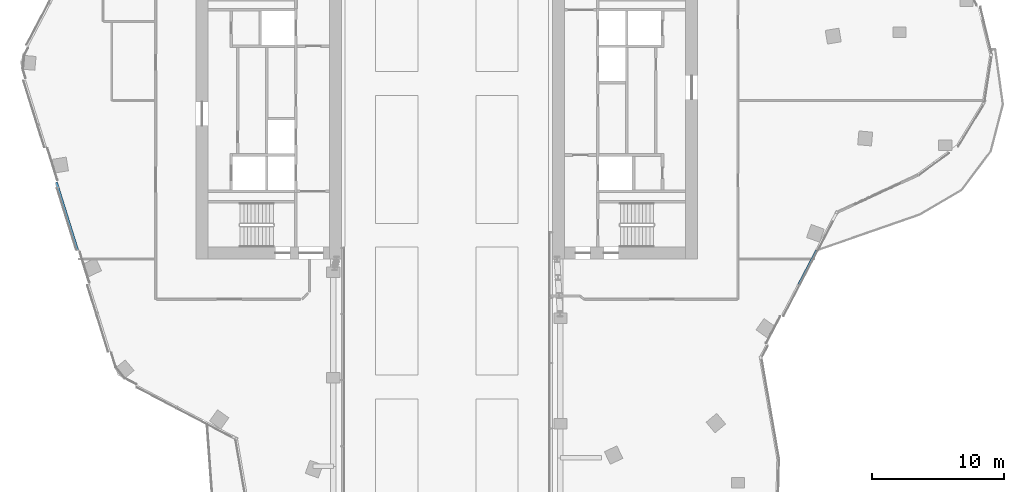
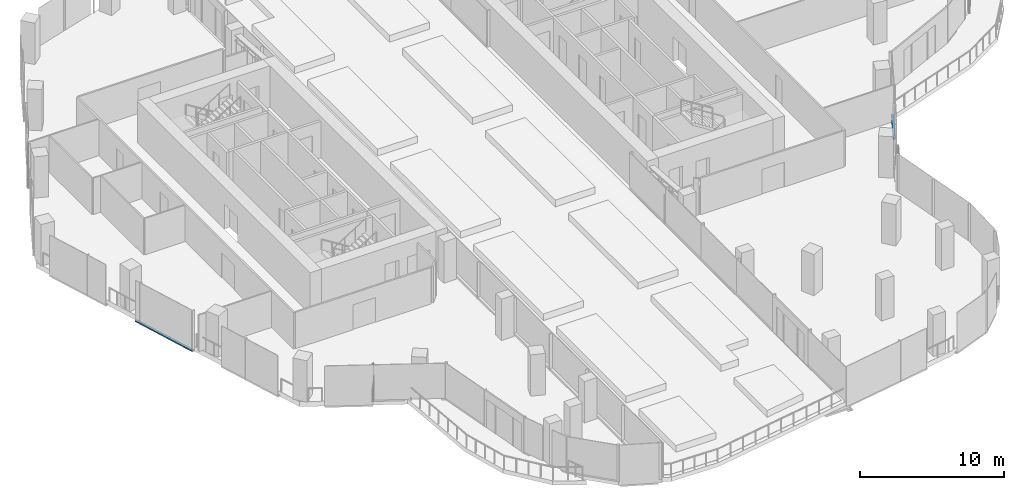
# One storey, part 4 of 26: 2 members, 2 elements without a shape of their own.
"""IFC4 building model written with IfcOpenShell, lengths in metres."""

from ifc_helpers import new_model, si_unit, direction, frame, origin, origin_2d, place, context, subcontext, project, spatial, rectangle, extrude, material, material_profile, profile_set, type_object, element, aggregate, save


model = new_model("IFC4")

# Units and contexts
model_context = context("Model", 3, precision=1e-05, world=origin(), true_north=direction((0.0, 1.0)))
body_context = subcontext(model_context, "Body", "Model", "MODEL_VIEW")
ifc_project = project(units=[si_unit("LENGTHUNIT", "METRE"), si_unit("AREAUNIT", "SQUARE_METRE"), si_unit("VOLUMEUNIT", "CUBIC_METRE"), si_unit("PLANEANGLEUNIT", "RADIAN"), si_unit("MASSUNIT", "GRAM", prefix="KILO")], contexts=[model_context])

# Site, building, storey
site_placement = place(None, origin())
site = spatial("IfcSite", under=ifc_project, at=site_placement, CompositionType="ELEMENT")
building_placement = place(site_placement, origin())
building = spatial("IfcBuilding", under=site, at=building_placement, Name="Orlundy Tower", CompositionType="ELEMENT")
storey_placement = place(building_placement, frame((0.0, 0.0, 253.5)))
storey = spatial("IfcBuildingStorey", under=building, at=storey_placement, Name="L67", CompositionType="ELEMENT", Elevation=253.5)

# Curtain wall, member
ifc_material_1 = material(Name="Aluminium bronze anodised", Category="aluminium")
curtain_wall_type = type_object("IfcCurtainWallType", Name="CW1 wall", PredefinedType="NOTDEFINED", material=ifc_material_1)
curtain_wall_1_placement = place(storey_placement, origin())
curtain_wall_1 = element("IfcCurtainWall", 1, at=curtain_wall_1_placement, inside=storey, type_object=curtain_wall_type, Name="CW1 run 01", PredefinedType="NOTDEFINED")
ifc_material_2 = material(Name="Aluminium bronze anodised", Category="aluminium")
ifc_material_profile = material_profile(ifc_material_2, rectangle(XDim=0.179931640625, YDim=0.1201171875, at=origin_2d()), Name="CW1 transom 180x120")
ifc_profile_set = profile_set([ifc_material_profile], Name="Aluminium bronze anodised")
member_type = type_object("IfcMemberType", Name="CW1 transom 180x120", PredefinedType="USERDEFINED", material=ifc_profile_set)
member_1_placement = place(storey_placement, frame((-27.9912109375, -11.310302734375, -0.360107421875), z_axis=(-0.297977544251, 0.954572879943, 0.0), x_axis=(-0.954572879943, -0.297977544251, 0.0)))
member_1 = element("IfcMember", 2, at=member_1_placement, type_object=member_type, Name="CW1 transom", ObjectType="TRANSOM", PredefinedType="USERDEFINED", context=body_context, shape_type="SweptSolid", body=[
    extrude(rectangle(XDim=0.179931640625, YDim=0.1201171875, at=origin_2d()), origin(), (0.0, 0.0, 1.0), 5.374755859375),
])
aggregate(curtain_wall_1, [member_1])

curtain_wall_2_placement = place(storey_placement, origin())
curtain_wall_2 = element("IfcCurtainWall", 3, at=curtain_wall_2_placement, inside=storey, type_object=curtain_wall_type, Name="CW1 run 111", PredefinedType="NOTDEFINED")
member_2_placement = place(storey_placement, frame((28.02294921875, -11.351806640625, 0.06005859375), z_axis=(-0.464280717173, -0.885688102924, 0.0), x_axis=(0.885688102924, -0.464280717173, 0.0)))
member_2 = element("IfcMember", 4, at=member_2_placement, type_object=member_type, Name="CW1 transom", ObjectType="TRANSOM", PredefinedType="USERDEFINED", context=body_context, shape_type="SweptSolid", body=[
    extrude(rectangle(XDim=0.179931640625, YDim=0.1201171875, at=origin_2d()), origin(), (0.0, 0.0, 1.0), 2.9326171875),
])
aggregate(curtain_wall_2, [member_2])

save(model, "model.ifc")
